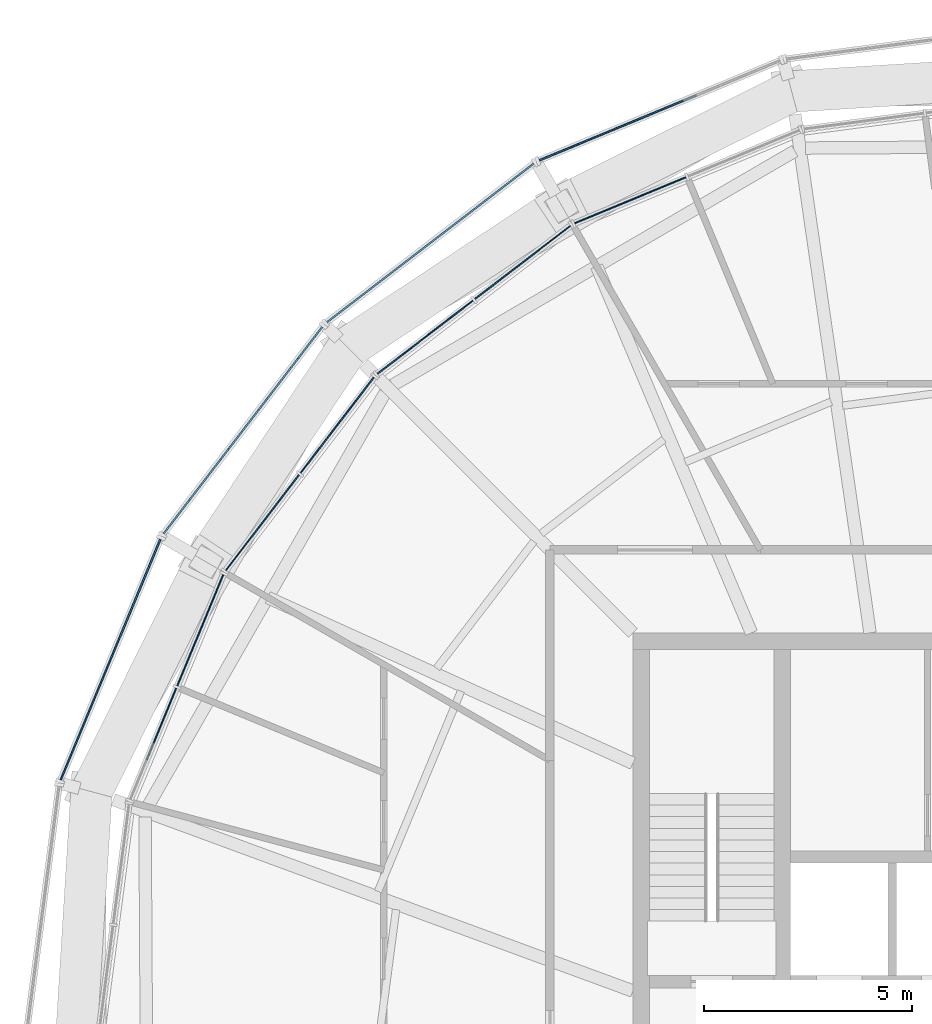
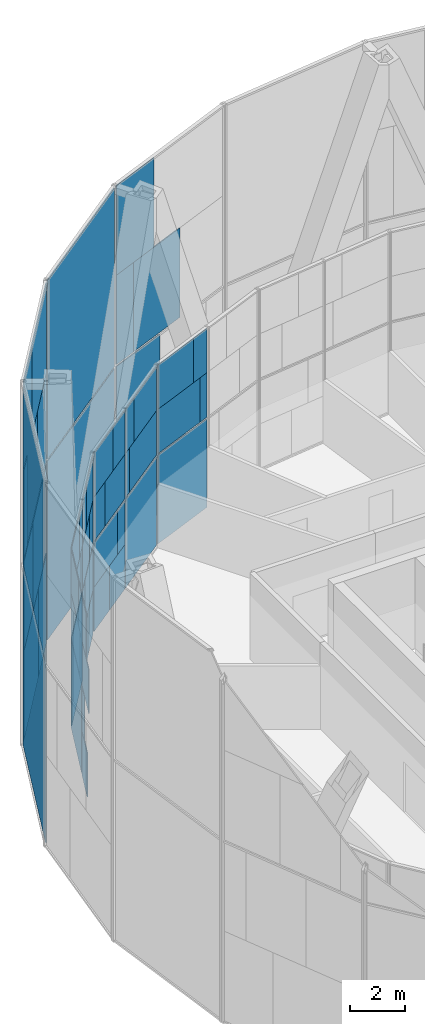
# One storey, part 16 of 23: 59 plates, 8 elements without a shape of their own.
"""IFC4 building model written with IfcOpenShell, lengths in metres."""

from ifc_helpers import new_model, si_unit, direction, frame, origin, origin_2d, place, context, subcontext, project, spatial, rectangle, extrude, material, layer, layer_set, type_object, element, aggregate, save


model = new_model("IFC4")

# Units and contexts
model_context = context("Model", 3, precision=1e-05, world=origin(), true_north=direction((0.0, 1.0)))
body_context = subcontext(model_context, "Body", "Model", "MODEL_VIEW")
ifc_project = project(units=[si_unit("LENGTHUNIT", "METRE"), si_unit("AREAUNIT", "SQUARE_METRE"), si_unit("VOLUMEUNIT", "CUBIC_METRE"), si_unit("PLANEANGLEUNIT", "RADIAN"), si_unit("MASSUNIT", "GRAM", prefix="KILO")], contexts=[model_context])

# Site, building, storey
site_placement = place(None, origin())
site = spatial("IfcSite", under=ifc_project, at=site_placement, CompositionType="ELEMENT")
building_placement = place(site_placement, origin())
building = spatial("IfcBuilding", under=site, at=building_placement, Name="Golbaran Civic Tower", CompositionType="ELEMENT")
storey_placement = place(building_placement, frame((0.0, 0.0, 232.0)))
storey = spatial("IfcBuildingStorey", under=building, at=storey_placement, Name="L56", CompositionType="ELEMENT", Elevation=232.0)

# Curtain wall, plates
ifc_material_1 = material(Name="Aluminium and glass", Category="aluminium")
curtain_wall_type_1 = type_object("IfcCurtainWallType", Name="INNER SKIN CURTAIN WALL EXECUTIVE", PredefinedType="NOTDEFINED", material=ifc_material_1)
curtain_wall_1_placement = place(storey_placement, origin())
curtain_wall_1 = element("IfcCurtainWall", 1, at=curtain_wall_1_placement, inside=storey, type_object=curtain_wall_type_1, Name="Inner skin L56 facet 8 CW2", ObjectType="INNER SKIN", PredefinedType="USERDEFINED")
ifc_material_2 = material(Name="Clear insulating glass", Category="glass")
ifc_layer_1 = layer(ifc_material_2, 0.031982421875, Name="Clear insulating glass")
ifc_layer_set_1 = layer_set([ifc_layer_1], Name="Clear insulating glass")
plate_type_1 = type_object("IfcPlateType", Name="INNER SKIN CURTAIN WALL EXECUTIVE GLAZED PANEL", PredefinedType="CURTAIN_PANEL", material=ifc_layer_set_1)
plate_1_placement = place(storey_placement, frame((-10.06103515625, 20.421142578125, 0.06005859375), z_axis=(0.0, 0.0, 1.0), x_axis=(-0.923879532511, -0.382683432365, 0.0)))
plate_1 = element("IfcPlate", 2, at=plate_1_placement, type_object=plate_type_1, Name="CW2 panel 2.1", PredefinedType="CURTAIN_PANEL", context=body_context, shape_type="SweptSolid", body=[
    extrude(rectangle(XDim=2.900634765625, YDim=0.031982421875, at=origin_2d()), origin(), (0.0, 0.0, 1.0), 3.909912109375),
])
plate_2_placement = place(storey_placement, frame((-10.245849609375, 20.3447265625, 4.030029296875), z_axis=(0.0, 0.0, 1.0), x_axis=(-0.923879532511, -0.382683432365, 0.0)))
plate_2 = element("IfcPlate", 3, at=plate_2_placement, type_object=plate_type_1, Name="CW2 panel 2.2 part 2", PredefinedType="CURTAIN_PANEL", context=body_context, shape_type="SweptSolid", body=[
    extrude(rectangle(XDim=2.500732421875, YDim=0.031982421875, at=origin_2d()), origin(), (0.0, 0.0, 1.0), 1.955078125),
])
plate_3_placement = place(storey_placement, frame((-10.431640625, 20.267822265625, 5.98486328125), z_axis=(0.0, 0.0, 1.0), x_axis=(-0.923879532511, -0.382683432365, 0.0)))
plate_3 = element("IfcPlate", 4, at=plate_3_placement, type_object=plate_type_1, Name="CW2 panel 2.2 part 4", PredefinedType="CURTAIN_PANEL", context=body_context, shape_type="SweptSolid", body=[
    extrude(rectangle(XDim=2.0986328125, YDim=0.031982421875, at=origin_2d()), origin(), (0.0, 0.0, 1.0), 1.955078125),
])

curtain_wall_2_placement = place(storey_placement, origin())
curtain_wall_2 = element("IfcCurtainWall", 5, at=curtain_wall_2_placement, inside=storey, type_object=curtain_wall_type_1, Name="Inner skin L56 facet 9 CW2", ObjectType="INNER SKIN", PredefinedType="USERDEFINED")
plate_4_placement = place(storey_placement, frame((-12.65478515625, 18.923828125, 0.06005859375), z_axis=(0.0, 0.0, 1.0), x_axis=(-0.793353340238, -0.608761429078, 0.0)))
plate_4 = element("IfcPlate", 6, at=plate_4_placement, type_object=plate_type_1, Name="CW2 panel 1.1", PredefinedType="CURTAIN_PANEL", context=body_context, shape_type="SweptSolid", body=[
    extrude(rectangle(XDim=2.900634765625, YDim=0.031982421875, at=origin_2d()), origin(), (0.0, 0.0, 1.0), 3.909912109375),
])
plate_5_placement = place(storey_placement, frame((-12.495361328125, 19.046142578125, 4.030029296875), z_axis=(0.0, 0.0, 1.0), x_axis=(-0.793353340238, -0.608761429078, 0.0)))
plate_5 = element("IfcPlate", 7, at=plate_5_placement, type_object=plate_type_1, Name="CW2 panel 1.2 part 1", PredefinedType="CURTAIN_PANEL", context=body_context, shape_type="SweptSolid", body=[
    extrude(rectangle(XDim=2.4990234375, YDim=0.031982421875, at=origin_2d()), origin(), (0.0, 0.0, 1.0), 1.955078125),
])
plate_6_placement = place(storey_placement, frame((-12.33642578125, 19.168212890625, 5.98486328125), z_axis=(0.0, 0.0, 1.0), x_axis=(-0.793353340238, -0.608761429078, 0.0)))
plate_6 = element("IfcPlate", 8, at=plate_6_placement, type_object=plate_type_1, Name="CW2 panel 1.2 part 3", PredefinedType="CURTAIN_PANEL", context=body_context, shape_type="SweptSolid", body=[
    extrude(rectangle(XDim=2.097900390625, YDim=0.031982421875, at=origin_2d()), origin(), (0.0, 0.0, 1.0), 1.955078125),
])
plate_7_placement = place(storey_placement, frame((-14.41748046875, 17.5712890625, 0.06005859375), z_axis=(0.0, 0.0, 1.0), x_axis=(-0.793353340238, -0.608761429078, 0.0)))
plate_7 = element("IfcPlate", 9, at=plate_7_placement, type_object=plate_type_1, Name="CW2 panel 2.1 part 1", PredefinedType="CURTAIN_PANEL", context=body_context, shape_type="SweptSolid", body=[
    extrude(rectangle(XDim=1.423095703125, YDim=0.031982421875, at=origin_2d()), origin(), (0.0, 0.0, 1.0), 1.955078125),
])
plate_8_placement = place(storey_placement, frame((-14.118408203125, 17.80078125, 2.014892578125), z_axis=(0.0, 0.0, 1.0), x_axis=(-0.793353340238, -0.608761429078, 0.0)))
plate_8 = element("IfcPlate", 10, at=plate_8_placement, type_object=plate_type_1, Name="CW2 panel 2.1 part 3", PredefinedType="CURTAIN_PANEL", context=body_context, shape_type="SweptSolid", body=[
    extrude(rectangle(XDim=0.6689453125, YDim=0.031982421875, at=origin_2d()), origin(), (0.0, 0.0, 1.0), 1.955078125),
])
plate_9_placement = place(storey_placement, frame((-15.743408203125, 16.5537109375, 4.030029296875), z_axis=(0.0, 0.0, 1.0), x_axis=(-0.793353340238, -0.608761429078, 0.0)))
plate_9 = element("IfcPlate", 11, at=plate_9_placement, type_object=plate_type_1, Name="CW2 panel 2.2 part 2", PredefinedType="CURTAIN_PANEL", context=body_context, shape_type="SweptSolid", body=[
    extrude(rectangle(XDim=1.03564453125, YDim=0.031982421875, at=origin_2d()), origin(), (0.0, 0.0, 1.0), 1.955078125),
])
plate_10_placement = place(storey_placement, frame((-15.4443359375, 16.783203125, 5.98486328125), z_axis=(0.0, 0.0, 1.0), x_axis=(-0.793353340238, -0.608761429078, 0.0)))
plate_10 = element("IfcPlate", 12, at=plate_10_placement, type_object=plate_type_1, Name="CW2 panel 2.2 part 4", PredefinedType="CURTAIN_PANEL", context=body_context, shape_type="SweptSolid", body=[
    extrude(rectangle(XDim=1.789794921875, YDim=0.031982421875, at=origin_2d()), origin(), (0.0, 0.0, 1.0), 1.955078125),
])

curtain_wall_3_placement = place(storey_placement, origin())
curtain_wall_3 = element("IfcCurtainWall", 13, at=curtain_wall_3_placement, inside=storey, type_object=curtain_wall_type_1, Name="Inner skin L56 facet 10 CW2", ObjectType="INNER SKIN", PredefinedType="USERDEFINED")
plate_11_placement = place(storey_placement, frame((-17.5712890625, 14.41748046875, 0.06005859375), z_axis=(0.0, 0.0, 1.0), x_axis=(-0.608761429078, -0.793353340238, 0.0)))
plate_11 = element("IfcPlate", 14, at=plate_11_placement, type_object=plate_type_1, Name="CW2 panel 1.1 part 2", PredefinedType="CURTAIN_PANEL", context=body_context, shape_type="SweptSolid", body=[
    extrude(rectangle(XDim=1.4228515625, YDim=0.031982421875, at=origin_2d()), origin(), (0.0, 0.0, 1.0), 1.955078125),
])
plate_12_placement = place(storey_placement, frame((-17.80078125, 14.118408203125, 2.014892578125), z_axis=(0.0, 0.0, 1.0), x_axis=(-0.608761429078, -0.793353340238, 0.0)))
plate_12 = element("IfcPlate", 15, at=plate_12_placement, type_object=plate_type_1, Name="CW2 panel 1.1 part 4", PredefinedType="CURTAIN_PANEL", context=body_context, shape_type="SweptSolid", body=[
    extrude(rectangle(XDim=0.668701171875, YDim=0.031982421875, at=origin_2d()), origin(), (0.0, 0.0, 1.0), 1.955078125),
])
plate_13_placement = place(storey_placement, frame((-16.553466796875, 15.743896484375, 4.030029296875), z_axis=(0.0, 0.0, 1.0), x_axis=(-0.608761429078, -0.793353340238, 0.0)))
plate_13 = element("IfcPlate", 16, at=plate_13_placement, type_object=plate_type_1, Name="CW2 panel 1.2 part 1", PredefinedType="CURTAIN_PANEL", context=body_context, shape_type="SweptSolid", body=[
    extrude(rectangle(XDim=1.034912109375, YDim=0.031982421875, at=origin_2d()), origin(), (0.0, 0.0, 1.0), 1.955078125),
])
plate_14_placement = place(storey_placement, frame((-16.782958984375, 15.444580078125, 5.98486328125), z_axis=(0.0, 0.0, 1.0), x_axis=(-0.608761429078, -0.793353340238, 0.0)))
plate_14 = element("IfcPlate", 17, at=plate_14_placement, type_object=plate_type_1, Name="CW2 panel 1.2 part 3", PredefinedType="CURTAIN_PANEL", context=body_context, shape_type="SweptSolid", body=[
    extrude(rectangle(XDim=1.7890625, YDim=0.031982421875, at=origin_2d()), origin(), (0.0, 0.0, 1.0), 1.955078125),
])
plate_15_placement = place(storey_placement, frame((-18.923828125, 12.65478515625, 0.06005859375), z_axis=(0.0, 0.0, 1.0), x_axis=(-0.608761429078, -0.793353340238, 0.0)))
plate_15 = element("IfcPlate", 18, at=plate_15_placement, type_object=plate_type_1, Name="CW2 panel 2.1", PredefinedType="CURTAIN_PANEL", context=body_context, shape_type="SweptSolid", body=[
    extrude(rectangle(XDim=2.900634765625, YDim=0.031982421875, at=origin_2d()), origin(), (0.0, 0.0, 1.0), 3.909912109375),
])
plate_16_placement = place(storey_placement, frame((-19.045654296875, 12.49609375, 4.030029296875), z_axis=(0.0, 0.0, 1.0), x_axis=(-0.608761429078, -0.793353340238, 0.0)))
plate_16 = element("IfcPlate", 19, at=plate_16_placement, type_object=plate_type_1, Name="CW2 panel 2.2 part 2", PredefinedType="CURTAIN_PANEL", context=body_context, shape_type="SweptSolid", body=[
    extrude(rectangle(XDim=2.500732421875, YDim=0.031982421875, at=origin_2d()), origin(), (0.0, 0.0, 1.0), 1.955078125),
])
plate_17_placement = place(storey_placement, frame((-19.16796875, 12.336669921875, 5.98486328125), z_axis=(0.0, 0.0, 1.0), x_axis=(-0.608761429078, -0.793353340238, 0.0)))
plate_17 = element("IfcPlate", 20, at=plate_17_placement, type_object=plate_type_1, Name="CW2 panel 2.2 part 4", PredefinedType="CURTAIN_PANEL", context=body_context, shape_type="SweptSolid", body=[
    extrude(rectangle(XDim=2.0986328125, YDim=0.031982421875, at=origin_2d()), origin(), (0.0, 0.0, 1.0), 1.955078125),
])

curtain_wall_4_placement = place(storey_placement, origin())
curtain_wall_4 = element("IfcCurtainWall", 21, at=curtain_wall_4_placement, inside=storey, type_object=curtain_wall_type_1, Name="Inner skin L56 facet 11 CW2", ObjectType="INNER SKIN", PredefinedType="USERDEFINED")
plate_18_placement = place(storey_placement, frame((-20.421142578125, 10.06103515625, 0.06005859375), z_axis=(0.0, 0.0, 1.0), x_axis=(-0.382683432365, -0.923879532511, 0.0)))
plate_18 = element("IfcPlate", 22, at=plate_18_placement, type_object=plate_type_1, Name="CW2 panel 1.1", PredefinedType="CURTAIN_PANEL", context=body_context, shape_type="SweptSolid", body=[
    extrude(rectangle(XDim=2.900634765625, YDim=0.031982421875, at=origin_2d()), origin(), (0.0, 0.0, 1.0), 3.909912109375),
])
plate_19_placement = place(storey_placement, frame((-20.344482421875, 10.24658203125, 4.030029296875), z_axis=(0.0, 0.0, 1.0), x_axis=(-0.382683432365, -0.923879532511, 0.0)))
plate_19 = element("IfcPlate", 23, at=plate_19_placement, type_object=plate_type_1, Name="CW2 panel 1.2 part 1", PredefinedType="CURTAIN_PANEL", context=body_context, shape_type="SweptSolid", body=[
    extrude(rectangle(XDim=2.4990234375, YDim=0.031982421875, at=origin_2d()), origin(), (0.0, 0.0, 1.0), 1.955078125),
])
plate_20_placement = place(storey_placement, frame((-20.267578125, 10.431884765625, 5.98486328125), z_axis=(0.0, 0.0, 1.0), x_axis=(-0.382683432365, -0.923879532511, 0.0)))
plate_20 = element("IfcPlate", 24, at=plate_20_placement, type_object=plate_type_1, Name="CW2 panel 1.2 part 3", PredefinedType="CURTAIN_PANEL", context=body_context, shape_type="SweptSolid", body=[
    extrude(rectangle(XDim=2.097900390625, YDim=0.031982421875, at=origin_2d()), origin(), (0.0, 0.0, 1.0), 1.955078125),
])
plate_21_placement = place(storey_placement, frame((-21.271484375, 8.00830078125, 0.06005859375), z_axis=(0.0, 0.0, 1.0), x_axis=(-0.382683432365, -0.923879532511, 0.0)))
plate_21 = element("IfcPlate", 25, at=plate_21_placement, type_object=plate_type_1, Name="CW2 panel 2.1 part 1", PredefinedType="CURTAIN_PANEL", context=body_context, shape_type="SweptSolid", body=[
    extrude(rectangle(XDim=1.423095703125, YDim=0.031982421875, at=origin_2d()), origin(), (0.0, 0.0, 1.0), 1.955078125),
])
plate_22_placement = place(storey_placement, frame((-21.127197265625, 8.356689453125, 2.014892578125), z_axis=(0.0, 0.0, 1.0), x_axis=(-0.382683432365, -0.923879532511, 0.0)))
plate_22 = element("IfcPlate", 26, at=plate_22_placement, type_object=plate_type_1, Name="CW2 panel 2.1 part 3", PredefinedType="CURTAIN_PANEL", context=body_context, shape_type="SweptSolid", body=[
    extrude(rectangle(XDim=0.6689453125, YDim=0.031982421875, at=origin_2d()), origin(), (0.0, 0.0, 1.0), 1.955078125),
])

# Plate
ifc_material_3 = material(Name="Aluminium faced opaque infill panel", Category="aluminium")
ifc_layer_2 = layer(ifc_material_3, 0.031982421875, Name="Aluminium faced opaque infill panel")
ifc_layer_set_2 = layer_set([ifc_layer_2], Name="Aluminium faced opaque infill panel")
plate_type_2 = type_object("IfcPlateType", Name="INNER SKIN CURTAIN WALL EXECUTIVE OPAQUE INFILL PANEL", PredefinedType="CURTAIN_PANEL", material=ifc_layer_set_2)
plate_23_placement = place(storey_placement, frame((-8.906005859375, 20.899658203125, 4.030029296875), z_axis=(0.0, 0.0, 1.0), x_axis=(-0.923879532511, -0.382683432365, 0.0)))
plate_23 = element("IfcPlate", 27, at=plate_23_placement, type_object=plate_type_2, Name="CW2 infill panel 2.2 part 1", PredefinedType="CURTAIN_PANEL", context=body_context, shape_type="SweptSolid", body=[
    extrude(rectangle(XDim=0.39990234375, YDim=0.031982421875, at=origin_2d()), origin(), (0.0, 0.0, 1.0), 1.955078125),
])

plate_24_placement = place(storey_placement, frame((-9.091552734375, 20.82275390625, 5.98486328125), z_axis=(0.0, 0.0, 1.0), x_axis=(-0.923879532511, -0.382683432365, 0.0)))
plate_24 = element("IfcPlate", 28, at=plate_24_placement, type_object=plate_type_2, Name="CW2 infill panel 2.2 part 3", PredefinedType="CURTAIN_PANEL", context=body_context, shape_type="SweptSolid", body=[
    extrude(rectangle(XDim=0.802001953125, YDim=0.031982421875, at=origin_2d()), origin(), (0.0, 0.0, 1.0), 1.955078125),
])

aggregate(curtain_wall_1, [plate_1, plate_23, plate_2, plate_24, plate_3])

plate_25_placement = place(storey_placement, frame((-13.64599609375, 18.1630859375, 4.030029296875), z_axis=(0.0, 0.0, 1.0), x_axis=(-0.793353340238, -0.608761429078, 0.0)))
plate_25 = element("IfcPlate", 29, at=plate_25_placement, type_object=plate_type_2, Name="CW2 infill panel 1.2 part 2", PredefinedType="CURTAIN_PANEL", context=body_context, shape_type="SweptSolid", body=[
    extrude(rectangle(XDim=0.40185546875, YDim=0.031982421875, at=origin_2d()), origin(), (0.0, 0.0, 1.0), 1.955078125),
])

plate_26_placement = place(storey_placement, frame((-13.487060546875, 18.28515625, 5.98486328125), z_axis=(0.0, 0.0, 1.0), x_axis=(-0.793353340238, -0.608761429078, 0.0)))
plate_26 = element("IfcPlate", 30, at=plate_26_placement, type_object=plate_type_2, Name="CW2 infill panel 1.2 part 4", PredefinedType="CURTAIN_PANEL", context=body_context, shape_type="SweptSolid", body=[
    extrude(rectangle(XDim=0.802734375, YDim=0.031982421875, at=origin_2d()), origin(), (0.0, 0.0, 1.0), 1.955078125),
])

plate_27_placement = place(storey_placement, frame((-15.568115234375, 16.688232421875, 0.06005859375), z_axis=(0.0, 0.0, 1.0), x_axis=(-0.793353340238, -0.608761429078, 0.0)))
plate_27 = element("IfcPlate", 31, at=plate_27_placement, type_object=plate_type_2, Name="CW2 infill panel 2.1 part 2", PredefinedType="CURTAIN_PANEL", context=body_context, shape_type="SweptSolid", body=[
    extrude(rectangle(XDim=1.477783203125, YDim=0.031982421875, at=origin_2d()), origin(), (0.0, 0.0, 1.0), 1.955078125),
])

plate_28_placement = place(storey_placement, frame((-15.26904296875, 16.917724609375, 2.014892578125), z_axis=(0.0, 0.0, 1.0), x_axis=(-0.793353340238, -0.608761429078, 0.0)))
plate_28 = element("IfcPlate", 32, at=plate_28_placement, type_object=plate_type_2, Name="CW2 infill panel 2.1 part 4", PredefinedType="CURTAIN_PANEL", context=body_context, shape_type="SweptSolid", body=[
    extrude(rectangle(XDim=2.231689453125, YDim=0.031982421875, at=origin_2d()), origin(), (0.0, 0.0, 1.0), 1.955078125),
])

plate_29_placement = place(storey_placement, frame((-14.5927734375, 17.436767578125, 4.030029296875), z_axis=(0.0, 0.0, 1.0), x_axis=(-0.793353340238, -0.608761429078, 0.0)))
plate_29 = element("IfcPlate", 33, at=plate_29_placement, type_object=plate_type_2, Name="CW2 infill panel 2.2 part 1", PredefinedType="CURTAIN_PANEL", context=body_context, shape_type="SweptSolid", body=[
    extrude(rectangle(XDim=1.864990234375, YDim=0.031982421875, at=origin_2d()), origin(), (0.0, 0.0, 1.0), 1.955078125),
])

plate_30_placement = place(storey_placement, frame((-14.293701171875, 17.666259765625, 5.98486328125), z_axis=(0.0, 0.0, 1.0), x_axis=(-0.793353340238, -0.608761429078, 0.0)))
plate_30 = element("IfcPlate", 34, at=plate_30_placement, type_object=plate_type_2, Name="CW2 infill panel 2.2 part 3", PredefinedType="CURTAIN_PANEL", context=body_context, shape_type="SweptSolid", body=[
    extrude(rectangle(XDim=1.111083984375, YDim=0.031982421875, at=origin_2d()), origin(), (0.0, 0.0, 1.0), 1.955078125),
])

aggregate(curtain_wall_2, [plate_4, plate_5, plate_25, plate_6, plate_26, plate_7, plate_27, plate_8, plate_28, plate_29, plate_9, plate_30, plate_10])

plate_31_placement = place(storey_placement, frame((-16.688232421875, 15.568115234375, 0.06005859375), z_axis=(0.0, 0.0, 1.0), x_axis=(-0.608761429078, -0.793353340238, 0.0)))
plate_31 = element("IfcPlate", 35, at=plate_31_placement, type_object=plate_type_2, Name="CW2 infill panel 1.1 part 1", PredefinedType="CURTAIN_PANEL", context=body_context, shape_type="SweptSolid", body=[
    extrude(rectangle(XDim=1.47802734375, YDim=0.031982421875, at=origin_2d()), origin(), (0.0, 0.0, 1.0), 1.955078125),
])

plate_32_placement = place(storey_placement, frame((-16.917724609375, 15.26904296875, 2.014892578125), z_axis=(0.0, 0.0, 1.0), x_axis=(-0.608761429078, -0.793353340238, 0.0)))
plate_32 = element("IfcPlate", 36, at=plate_32_placement, type_object=plate_type_2, Name="CW2 infill panel 1.1 part 3", PredefinedType="CURTAIN_PANEL", context=body_context, shape_type="SweptSolid", body=[
    extrude(rectangle(XDim=2.23193359375, YDim=0.031982421875, at=origin_2d()), origin(), (0.0, 0.0, 1.0), 1.955078125),
])

plate_33_placement = place(storey_placement, frame((-17.4365234375, 14.593017578125, 4.030029296875), z_axis=(0.0, 0.0, 1.0), x_axis=(-0.608761429078, -0.793353340238, 0.0)))
plate_33 = element("IfcPlate", 37, at=plate_33_placement, type_object=plate_type_2, Name="CW2 infill panel 1.2 part 2", PredefinedType="CURTAIN_PANEL", context=body_context, shape_type="SweptSolid", body=[
    extrude(rectangle(XDim=1.86572265625, YDim=0.031982421875, at=origin_2d()), origin(), (0.0, 0.0, 1.0), 1.955078125),
])

plate_34_placement = place(storey_placement, frame((-17.666015625, 14.2939453125, 5.98486328125), z_axis=(0.0, 0.0, 1.0), x_axis=(-0.608761429078, -0.793353340238, 0.0)))
plate_34 = element("IfcPlate", 38, at=plate_34_placement, type_object=plate_type_2, Name="CW2 infill panel 1.2 part 4", PredefinedType="CURTAIN_PANEL", context=body_context, shape_type="SweptSolid", body=[
    extrude(rectangle(XDim=1.11181640625, YDim=0.031982421875, at=origin_2d()), origin(), (0.0, 0.0, 1.0), 1.955078125),
])

plate_35_placement = place(storey_placement, frame((-18.16259765625, 13.646728515625, 4.030029296875), z_axis=(0.0, 0.0, 1.0), x_axis=(-0.608761429078, -0.793353340238, 0.0)))
plate_35 = element("IfcPlate", 39, at=plate_35_placement, type_object=plate_type_2, Name="CW2 infill panel 2.2 part 1", PredefinedType="CURTAIN_PANEL", context=body_context, shape_type="SweptSolid", body=[
    extrude(rectangle(XDim=0.39990234375, YDim=0.031982421875, at=origin_2d()), origin(), (0.0, 0.0, 1.0), 1.955078125),
])

plate_36_placement = place(storey_placement, frame((-18.284912109375, 13.4873046875, 5.98486328125), z_axis=(0.0, 0.0, 1.0), x_axis=(-0.608761429078, -0.793353340238, 0.0)))
plate_36 = element("IfcPlate", 40, at=plate_36_placement, type_object=plate_type_2, Name="CW2 infill panel 2.2 part 3", PredefinedType="CURTAIN_PANEL", context=body_context, shape_type="SweptSolid", body=[
    extrude(rectangle(XDim=0.802001953125, YDim=0.031982421875, at=origin_2d()), origin(), (0.0, 0.0, 1.0), 1.955078125),
])

aggregate(curtain_wall_3, [plate_31, plate_11, plate_32, plate_12, plate_13, plate_33, plate_14, plate_34, plate_15, plate_35, plate_16, plate_36, plate_17])

plate_37_placement = place(storey_placement, frame((-20.8994140625, 8.90673828125, 4.030029296875), z_axis=(0.0, 0.0, 1.0), x_axis=(-0.382683432365, -0.923879532511, 0.0)))
plate_37 = element("IfcPlate", 41, at=plate_37_placement, type_object=plate_type_2, Name="CW2 infill panel 1.2 part 2", PredefinedType="CURTAIN_PANEL", context=body_context, shape_type="SweptSolid", body=[
    extrude(rectangle(XDim=0.40185546875, YDim=0.031982421875, at=origin_2d()), origin(), (0.0, 0.0, 1.0), 1.955078125),
])

plate_38_placement = place(storey_placement, frame((-20.82275390625, 9.092041015625, 5.98486328125), z_axis=(0.0, 0.0, 1.0), x_axis=(-0.382683432365, -0.923879532511, 0.0)))
plate_38 = element("IfcPlate", 42, at=plate_38_placement, type_object=plate_type_2, Name="CW2 infill panel 1.2 part 4", PredefinedType="CURTAIN_PANEL", context=body_context, shape_type="SweptSolid", body=[
    extrude(rectangle(XDim=0.802734375, YDim=0.031982421875, at=origin_2d()), origin(), (0.0, 0.0, 1.0), 1.955078125),
])

plate_39_placement = place(storey_placement, frame((-21.356201171875, 7.80419921875, 4.030029296875), z_axis=(0.0, 0.0, 1.0), x_axis=(-0.382683432365, -0.923879532511, 0.0)))
plate_39 = element("IfcPlate", 43, at=plate_39_placement, type_object=plate_type_2, Name="CW2 infill panel 2.2 part 1", PredefinedType="CURTAIN_PANEL", context=body_context, shape_type="SweptSolid", body=[
    extrude(rectangle(XDim=1.864990234375, YDim=0.031982421875, at=origin_2d()), origin(), (0.0, 0.0, 1.0), 1.955078125),
])

plate_40_placement = place(storey_placement, frame((-21.2119140625, 8.152587890625, 5.98486328125), z_axis=(0.0, 0.0, 1.0), x_axis=(-0.382683432365, -0.923879532511, 0.0)))
plate_40 = element("IfcPlate", 44, at=plate_40_placement, type_object=plate_type_2, Name="CW2 infill panel 2.2 part 3", PredefinedType="CURTAIN_PANEL", context=body_context, shape_type="SweptSolid", body=[
    extrude(rectangle(XDim=1.111083984375, YDim=0.031982421875, at=origin_2d()), origin(), (0.0, 0.0, 1.0), 1.955078125),
])

aggregate(curtain_wall_4, [plate_18, plate_19, plate_37, plate_20, plate_38, plate_21, plate_22, plate_39, plate_40])

# Curtain wall, plates
curtain_wall_type_2 = type_object("IfcCurtainWallType", Name="OUTER SKIN TERRACOTTA SCREEN", PredefinedType="NOTDEFINED", material=ifc_material_1)
curtain_wall_5_placement = place(storey_placement, origin())
curtain_wall_5 = element("IfcCurtainWall", 45, at=curtain_wall_5_placement, inside=storey, type_object=curtain_wall_type_2, Name="Outer skin L56 facet 8 CW3", ObjectType="OUTER SKIN", PredefinedType="USERDEFINED")
ifc_material_4 = material(Name="Clear laminated glass", Category="glass")
ifc_layer_3 = layer(ifc_material_4, 0.0400390625, Name="Clear laminated glass")
ifc_layer_set_3 = layer_set([ifc_layer_3], Name="Clear laminated glass")
plate_type_3 = type_object("IfcPlateType", Name="OUTER SKIN CLEAR GLASS PANEL", PredefinedType="CURTAIN_PANEL", material=ifc_layer_set_3)
plate_41_placement = place(storey_placement, frame((-10.36376953125, 22.165283203125, -0.6298828125), z_axis=(0.0, 0.0, 1.0), x_axis=(-0.923879532505, -0.382683432381, 0.0)))
plate_41 = element("IfcPlate", 46, at=plate_41_placement, type_object=plate_type_3, Name="CW3 panel 1.1 part 2", PredefinedType="CURTAIN_PANEL", context=body_context, shape_type="SweptSolid", body=[
    extrude(rectangle(XDim=4.09130859375, YDim=0.0400390625, at=origin_2d()), origin(), (0.0, 0.0, 1.0), 3.93994140625),
])
plate_42_placement = place(storey_placement, frame((-11.0654296875, 21.874755859375, 3.31005859375), z_axis=(0.0, 0.0, 1.0), x_axis=(-0.923879532505, -0.382683432381, 0.0)))
plate_42 = element("IfcPlate", 47, at=plate_42_placement, type_object=plate_type_3, Name="CW3 panel 1.1 part 5", PredefinedType="CURTAIN_PANEL", context=body_context, shape_type="SweptSolid", body=[
    extrude(rectangle(XDim=2.572265625, YDim=0.0400390625, at=origin_2d()), origin(), (0.0, 0.0, 1.0), 3.93994140625),
])
plate_43_placement = place(storey_placement, frame((-11.78173828125, 21.577880859375, 7.330078125), z_axis=(0.0, 0.0, 1.0), x_axis=(-0.923879532505, -0.382683432381, 0.0)))
plate_43 = element("IfcPlate", 48, at=plate_43_placement, type_object=plate_type_3, Name="CW3 panel 1.2 part 3", PredefinedType="CURTAIN_PANEL", context=body_context, shape_type="SweptSolid", body=[
    extrude(rectangle(XDim=1.021240234375, YDim=0.0400390625, at=origin_2d()), origin(), (0.0, 0.0, 1.0), 3.93994140625),
])

curtain_wall_6_placement = place(storey_placement, origin())
curtain_wall_6 = element("IfcCurtainWall", 49, at=curtain_wall_6_placement, inside=storey, type_object=curtain_wall_type_2, Name="Outer skin L56 facet 10 CW3", ObjectType="OUTER SKIN", PredefinedType="USERDEFINED")
plate_44_placement = place(storey_placement, frame((-20.057861328125, 14.013916015625, -0.6298828125), z_axis=(0.0, 0.0, 1.0), x_axis=(-0.608761429009, -0.793353340291, 0.0)))
plate_44 = element("IfcPlate", 50, at=plate_44_placement, type_object=plate_type_3, Name="CW3 panel 1.1 part 2", PredefinedType="CURTAIN_PANEL", context=body_context, shape_type="SweptSolid", body=[
    extrude(rectangle(XDim=4.09130859375, YDim=0.0400390625, at=origin_2d()), origin(), (0.0, 0.0, 1.0), 3.93994140625),
])
plate_45_placement = place(storey_placement, frame((-17.776123046875, 16.987548828125, 3.31005859375), z_axis=(0.0, 0.0, 1.0), x_axis=(-0.608761429009, -0.793353340291, 0.0)))
plate_45 = element("IfcPlate", 51, at=plate_45_placement, type_object=plate_type_3, Name="CW3 panel 1.1 part 3", PredefinedType="CURTAIN_PANEL", context=body_context, shape_type="SweptSolid", body=[
    extrude(rectangle(XDim=0.965087890625, YDim=0.0400390625, at=origin_2d()), origin(), (0.0, 0.0, 1.0), 3.93994140625),
])
plate_46_placement = place(storey_placement, frame((-20.520263671875, 13.411376953125, 3.31005859375), z_axis=(0.0, 0.0, 1.0), x_axis=(-0.608761429009, -0.793353340291, 0.0)))
plate_46 = element("IfcPlate", 52, at=plate_46_placement, type_object=plate_type_3, Name="CW3 panel 1.1 part 5", PredefinedType="CURTAIN_PANEL", context=body_context, shape_type="SweptSolid", body=[
    extrude(rectangle(XDim=2.572265625, YDim=0.0400390625, at=origin_2d()), origin(), (0.0, 0.0, 1.0), 3.93994140625),
])
plate_47_placement = place(storey_placement, frame((-18.248046875, 16.37255859375, 7.330078125), z_axis=(0.0, 0.0, 1.0), x_axis=(-0.608761429009, -0.793353340291, 0.0)))
plate_47 = element("IfcPlate", 53, at=plate_47_placement, type_object=plate_type_3, Name="CW3 panel 1.2 part 1", PredefinedType="CURTAIN_PANEL", context=body_context, shape_type="SweptSolid", body=[
    extrude(rectangle(XDim=2.514892578125, YDim=0.0400390625, at=origin_2d()), origin(), (0.0, 0.0, 1.0), 3.93994140625),
])
plate_48_placement = place(storey_placement, frame((-20.9921875, 12.796142578125, 7.330078125), z_axis=(0.0, 0.0, 1.0), x_axis=(-0.608761429009, -0.793353340291, 0.0)))
plate_48 = element("IfcPlate", 54, at=plate_48_placement, type_object=plate_type_3, Name="CW3 panel 1.2 part 3", PredefinedType="CURTAIN_PANEL", context=body_context, shape_type="SweptSolid", body=[
    extrude(rectangle(XDim=1.021240234375, YDim=0.0400390625, at=origin_2d()), origin(), (0.0, 0.0, 1.0), 3.93994140625),
])
plate_49_placement = place(storey_placement, frame((-18.712158203125, 15.767578125, 11.27001953125), z_axis=(0.0, 0.0, 1.0), x_axis=(-0.608761429009, -0.793353340291, 0.0)))
plate_49 = element("IfcPlate", 55, at=plate_49_placement, type_object=plate_type_3, Name="CW3 panel 1.2 part 4", PredefinedType="CURTAIN_PANEL", context=body_context, shape_type="SweptSolid", body=[
    extrude(rectangle(XDim=4.0400390625, YDim=0.0400390625, at=origin_2d()), origin(), (0.0, 0.0, 1.0), 3.93994140625),
])

# Plate
ifc_material_5 = material(Name="Terracotta baguette screen", Category="masonry")
ifc_layer_4 = layer(ifc_material_5, 0.0400390625, Name="Terracotta baguette screen")
ifc_layer_set_4 = layer_set([ifc_layer_4], Name="Terracotta baguette screen")
plate_type_4 = type_object("IfcPlateType", Name="OUTER SKIN TERRACOTTA INFILL PANEL", PredefinedType="CURTAIN_PANEL", material=ifc_layer_set_4)
plate_50_placement = place(storey_placement, frame((-10.04443359375, 22.297607421875, 7.330078125), z_axis=(0.0, 0.0, 1.0), x_axis=(-0.923879532505, -0.382683432381, 0.0)))
plate_50 = element("IfcPlate", 56, at=plate_50_placement, type_object=plate_type_4, Name="CW3 infill panel 1.2 part 2", PredefinedType="CURTAIN_PANEL", context=body_context, shape_type="SweptSolid", body=[
    extrude(rectangle(XDim=2.739990234375, YDim=0.0400390625, at=origin_2d()), origin(), (0.0, 0.0, 1.0), 3.93994140625),
])

plate_51_placement = place(storey_placement, frame((-11.220458984375, 21.810302734375, 11.27001953125), z_axis=(0.0, 0.0, 1.0), x_axis=(-0.923879532505, -0.382683432381, 0.0)))
plate_51 = element("IfcPlate", 57, at=plate_51_placement, type_object=plate_type_4, Name="CW3 infill panel 1.2 part 5", PredefinedType="CURTAIN_PANEL", context=body_context, shape_type="SweptSolid", body=[
    extrude(rectangle(XDim=2.236328125, YDim=0.0400390625, at=origin_2d()), origin(), (0.0, 0.0, 1.0), 3.93994140625),
])

aggregate(curtain_wall_5, [plate_41, plate_42, plate_50, plate_43, plate_51])

plate_52_placement = place(storey_placement, frame((-18.1474609375, 16.50341796875, -0.6298828125), z_axis=(0.0, 0.0, 1.0), x_axis=(-0.608761429009, -0.793353340291, 0.0)))
plate_52 = element("IfcPlate", 58, at=plate_52_placement, type_object=plate_type_4, Name="CW3 infill panel 1.1 part 1", PredefinedType="CURTAIN_PANEL", context=body_context, shape_type="SweptSolid", body=[
    extrude(rectangle(XDim=2.18505859375, YDim=0.0400390625, at=origin_2d()), origin(), (0.0, 0.0, 1.0), 3.93994140625),
])

plate_53_placement = place(storey_placement, frame((-18.903564453125, 15.51806640625, 3.31005859375), z_axis=(0.0, 0.0, 1.0), x_axis=(-0.608761429009, -0.793353340291, 0.0)))
plate_53 = element("IfcPlate", 59, at=plate_53_placement, type_object=plate_type_4, Name="CW3 infill panel 1.1 part 4", PredefinedType="CURTAIN_PANEL", context=body_context, shape_type="SweptSolid", body=[
    extrude(rectangle(XDim=2.739013671875, YDim=0.0400390625, at=origin_2d()), origin(), (0.0, 0.0, 1.0), 3.93994140625),
])

plate_54_placement = place(storey_placement, frame((-19.847412109375, 14.2880859375, 7.330078125), z_axis=(0.0, 0.0, 1.0), x_axis=(-0.608761429009, -0.793353340291, 0.0)))
plate_54 = element("IfcPlate", 60, at=plate_54_placement, type_object=plate_type_4, Name="CW3 infill panel 1.2 part 2", PredefinedType="CURTAIN_PANEL", context=body_context, shape_type="SweptSolid", body=[
    extrude(rectangle(XDim=2.739990234375, YDim=0.0400390625, at=origin_2d()), origin(), (0.0, 0.0, 1.0), 3.93994140625),
])

plate_55_placement = place(storey_placement, frame((-20.62255859375, 13.278076171875, 11.27001953125), z_axis=(0.0, 0.0, 1.0), x_axis=(-0.608761429009, -0.793353340291, 0.0)))
plate_55 = element("IfcPlate", 61, at=plate_55_placement, type_object=plate_type_4, Name="CW3 infill panel 1.2 part 5", PredefinedType="CURTAIN_PANEL", context=body_context, shape_type="SweptSolid", body=[
    extrude(rectangle(XDim=2.236328125, YDim=0.0400390625, at=origin_2d()), origin(), (0.0, 0.0, 1.0), 3.93994140625),
])

aggregate(curtain_wall_6, [plate_52, plate_44, plate_45, plate_53, plate_46, plate_47, plate_54, plate_48, plate_49, plate_55])

# Curtain wall, plates
curtain_wall_7_placement = place(storey_placement, origin())
curtain_wall_7 = element("IfcCurtainWall", 62, at=curtain_wall_7_placement, inside=storey, type_object=curtain_wall_type_2, Name="Outer skin L56 facet 9 CW3", ObjectType="OUTER SKIN", PredefinedType="USERDEFINED")
ifc_layer_5 = layer(ifc_material_5, 0.0400390625, Name="Terracotta baguette screen")
ifc_layer_set_5 = layer_set([ifc_layer_5], Name="Terracotta baguette screen")
plate_type_5 = type_object("IfcPlateType", Name="OUTER SKIN TERRACOTTA SCREEN PANEL", PredefinedType="CURTAIN_PANEL", material=ifc_layer_set_5)
plate_56_placement = place(storey_placement, frame((-14.880615234375, 19.392822265625, -0.6298828125), z_axis=(0.0, 0.0, 1.0), x_axis=(-0.793353340291, -0.608761429009, 0.0)))
plate_56 = element("IfcPlate", 63, at=plate_56_placement, type_object=plate_type_5, Name="CW3 terracotta screen panel 1.1", PredefinedType="CURTAIN_PANEL", context=body_context, shape_type="SweptSolid", body=[
    extrude(rectangle(XDim=6.2763671875, YDim=0.0400390625, at=origin_2d()), origin(), (0.0, 0.0, 1.0), 7.8798828125),
])
plate_57_placement = place(storey_placement, frame((-14.880615234375, 19.392822265625, 7.330078125), z_axis=(0.0, 0.0, 1.0), x_axis=(-0.793353340291, -0.608761429009, 0.0)))
plate_57 = element("IfcPlate", 64, at=plate_57_placement, type_object=plate_type_5, Name="CW3 terracotta screen panel 1.2", PredefinedType="CURTAIN_PANEL", context=body_context, shape_type="SweptSolid", body=[
    extrude(rectangle(XDim=6.2763671875, YDim=0.0400390625, at=origin_2d()), origin(), (0.0, 0.0, 1.0), 7.8798828125),
])
aggregate(curtain_wall_7, [plate_56, plate_57])

curtain_wall_8_placement = place(storey_placement, origin())
curtain_wall_8 = element("IfcCurtainWall", 65, at=curtain_wall_8_placement, inside=storey, type_object=curtain_wall_type_2, Name="Outer skin L56 facet 11 CW3", ObjectType="OUTER SKIN", PredefinedType="USERDEFINED")
plate_58_placement = place(storey_placement, frame((-22.58349609375, 9.354248046875, -0.6298828125), z_axis=(0.0, 0.0, 1.0), x_axis=(-0.382683432381, -0.923879532505, 0.0)))
plate_58 = element("IfcPlate", 66, at=plate_58_placement, type_object=plate_type_5, Name="CW3 terracotta screen panel 1.1", PredefinedType="CURTAIN_PANEL", context=body_context, shape_type="SweptSolid", body=[
    extrude(rectangle(XDim=6.2763671875, YDim=0.0400390625, at=origin_2d()), origin(), (0.0, 0.0, 1.0), 7.8798828125),
])
plate_59_placement = place(storey_placement, frame((-22.58349609375, 9.354248046875, 7.330078125), z_axis=(0.0, 0.0, 1.0), x_axis=(-0.382683432381, -0.923879532505, 0.0)))
plate_59 = element("IfcPlate", 67, at=plate_59_placement, type_object=plate_type_5, Name="CW3 terracotta screen panel 1.2", PredefinedType="CURTAIN_PANEL", context=body_context, shape_type="SweptSolid", body=[
    extrude(rectangle(XDim=6.2763671875, YDim=0.0400390625, at=origin_2d()), origin(), (0.0, 0.0, 1.0), 7.8798828125),
])
aggregate(curtain_wall_8, [plate_58, plate_59])

save(model, "model.ifc")
